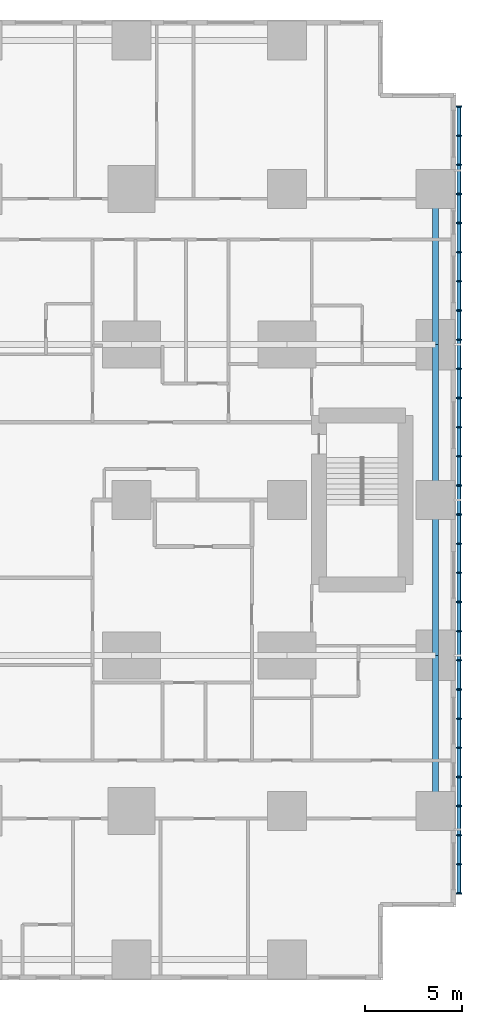
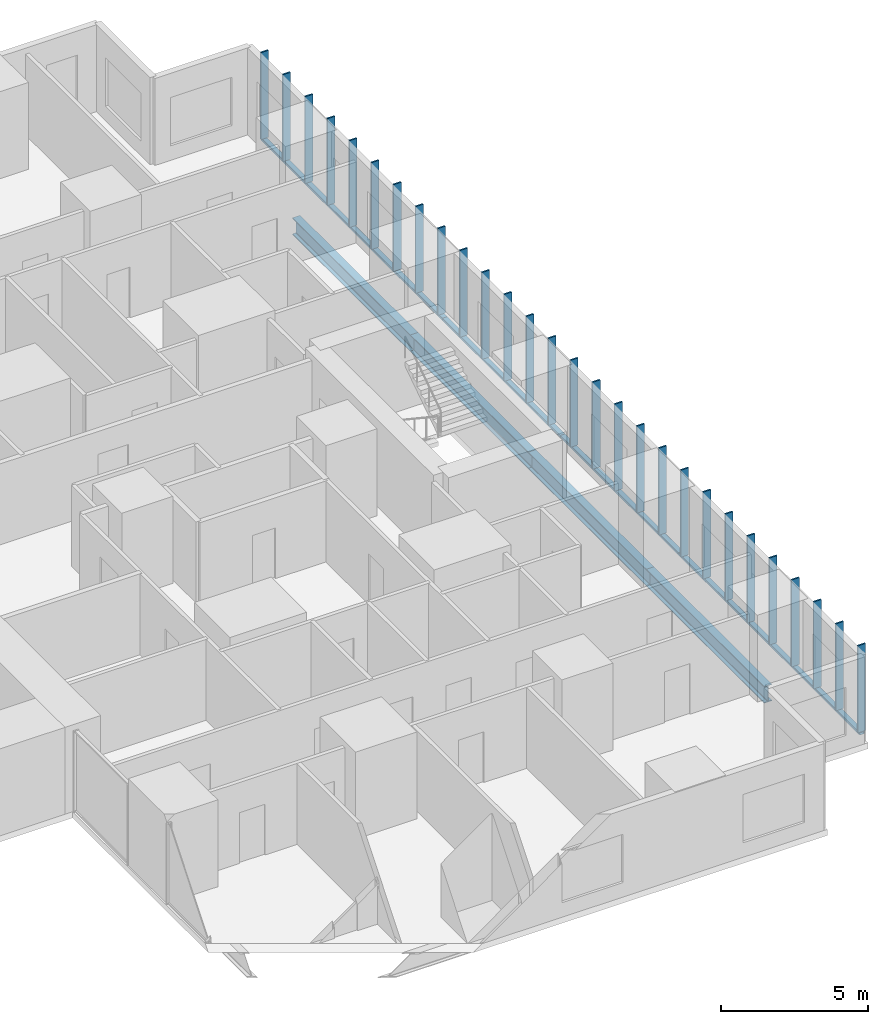
# One storey, part 6 of 20: 32 members, 4 beams.
"""IFC4 building model written with IfcOpenShell, lengths in metres."""

from ifc_helpers import new_model, si_unit, direction, frame, origin, origin_2d, place, context, subcontext, project, spatial, rectangle, hollow_rectangle, i_section, extrude, material, material_profile, profile_set, type_object, element, save


model = new_model("IFC4")

# Units and contexts
model_context = context("Model", 3, precision=1e-05, world=origin(), true_north=direction((0.0, 1.0)))
body_context = subcontext(model_context, "Body", "Model", "MODEL_VIEW")
ifc_project = project(units=[si_unit("LENGTHUNIT", "METRE"), si_unit("AREAUNIT", "SQUARE_METRE"), si_unit("VOLUMEUNIT", "CUBIC_METRE"), si_unit("PLANEANGLEUNIT", "RADIAN"), si_unit("MASSUNIT", "GRAM", prefix="KILO")], contexts=[model_context])

# Site, building, storey
site_placement = place(None, origin())
site = spatial("IfcSite", under=ifc_project, at=site_placement, CompositionType="ELEMENT")
building_placement = place(site_placement, origin())
building = spatial("IfcBuilding", under=site, at=building_placement, Name="Cleftline Residences", CompositionType="ELEMENT")
storey_placement = place(building_placement, frame((0.0, 0.0, 33.199951171875)))
storey = spatial("IfcBuildingStorey", under=building, at=storey_placement, Name="L07", CompositionType="ELEMENT", Elevation=33.199951171875)

# Members
ifc_material_1 = material(Name="Steel S355, hot-dip galvanised", Category="steel")
ifc_material_profile_1 = material_profile(ifc_material_1, hollow_rectangle(XDim=0.10009765625, YDim=0.199951171875, WallThickness=0.008056640625, InnerFilletRadius=0.008056640625, OuterFilletRadius=0.011962890625, at=origin_2d()))
ifc_profile_set_1 = profile_set([ifc_material_profile_1], Name="Steel S355, hot-dip galvanised")
member_type_1 = type_object("IfcMemberType", Name="BAGUETTE CARRIER RHS 200X100X8", PredefinedType="USERDEFINED", material=ifc_profile_set_1)
member_1_placement = place(storey_placement, frame((66.85009765625, 3.699951171875, -0.050048828125), z_axis=(0.0, 1.0, 0.0), x_axis=(0.0, 0.0, 1.0)))
element("IfcMember", 1, at=member_1_placement, inside=storey, type_object=member_type_1, Name="Baguette carrier", ObjectType="BAGUETTE CARRIER", PredefinedType="USERDEFINED", context=body_context, shape_type="SweptSolid", body=[
    extrude(hollow_rectangle(XDim=0.10009765625, YDim=0.199951171875, WallThickness=0.008056640625, InnerFilletRadius=0.008056640625, OuterFilletRadius=0.011962890625, at=origin_2d()), origin(), (0.0, 0.0, 1.0), 12.300048828125),
])
for number, where, z_axis, x_axis, name in (
    (2, (66.85009765625, 16.0, -0.050048828125), (0.0, 1.0, 0.0), (0.0, 0.0, 1.0), "Baguette carrier"),
    (3, (66.85009765625, 24.0, -0.050048828125), (0.0, 1.0, 0.0), (0.0, 0.0, 1.0), "Baguette carrier"),
):
    element("IfcMember", number, at=place(storey_placement, frame(where, z_axis=z_axis, x_axis=x_axis)), inside=storey, type_object=member_type_1, Name=name, ObjectType="BAGUETTE CARRIER", PredefinedType="USERDEFINED", context=body_context, shape_type="SweptSolid", body=[
        extrude(hollow_rectangle(XDim=0.10009765625, YDim=0.199951171875, WallThickness=0.008056640625, InnerFilletRadius=0.008056640625, OuterFilletRadius=0.011962890625, at=origin_2d()), origin(), (0.0, 0.0, 1.0), 8.0),
    ])
member_2_placement = place(storey_placement, frame((66.85009765625, 32.0, -0.050048828125), z_axis=(0.0, 1.0, 0.0), x_axis=(0.0, 0.0, 1.0)))
element("IfcMember", 4, at=member_2_placement, inside=storey, type_object=member_type_1, Name="Baguette carrier", ObjectType="BAGUETTE CARRIER", PredefinedType="USERDEFINED", context=body_context, shape_type="SweptSolid", body=[
    extrude(hollow_rectangle(XDim=0.10009765625, YDim=0.199951171875, WallThickness=0.008056640625, InnerFilletRadius=0.008056640625, OuterFilletRadius=0.011962890625, at=origin_2d()), origin(), (0.0, 0.0, 1.0), 12.300048828125),
])

# Beams
ifc_material_2 = material(Name="Steel S355", Category="steel")
ifc_material_profile_2 = material_profile(ifc_material_2, i_section(OverallWidth=0.300048828125, OverallDepth=0.699951171875, WebThickness=0.01708984375, FlangeThickness=0.031982421875, FilletRadius=0.027099609375, at=origin_2d()))
ifc_profile_set_2 = profile_set([ifc_material_profile_2], Name="Steel S355")
beam_type = type_object("IfcBeamType", Name="BEAM HEB 700", PredefinedType="BEAM", material=ifc_profile_set_2)
for number, where, z_axis, x_axis, name in (
    (5, (65.64990234375, 8.0, -0.599853515625), (0.0, 1.0, 0.0), (-1.0, 0.0, 0.0), "Edge beam"),
    (6, (65.64990234375, 16.0, -0.599853515625), (0.0, 1.0, 0.0), (-1.0, 0.0, 0.0), "Edge beam"),
    (7, (65.64990234375, 24.0, -0.599853515625), (0.0, 1.0, 0.0), (-1.0, 0.0, 0.0), "Edge beam"),
    (8, (65.64990234375, 32.0, -0.599853515625), (0.0, 1.0, 0.0), (-1.0, 0.0, 0.0), "Edge beam"),
):
    element("IfcBeam", number, at=place(storey_placement, frame(where, z_axis=z_axis, x_axis=x_axis)), inside=storey, type_object=beam_type, Name=name, PredefinedType="BEAM", context=body_context, shape_type="SweptSolid", body=[
        extrude(i_section(OverallWidth=0.300048828125, OverallDepth=0.699951171875, WebThickness=0.01708984375, FlangeThickness=0.031982421875, FilletRadius=0.027099609375, at=origin_2d()), origin(), (0.0, 0.0, 1.0), 8.0),
    ])

# Members
ifc_material_3 = material(Name="Extruded terracotta", Category="masonry")
ifc_material_profile_3 = material_profile(ifc_material_3, rectangle(XDim=0.06005859375, YDim=0.300048828125, at=origin_2d()))
ifc_profile_set_3 = profile_set([ifc_material_profile_3], Name="Extruded terracotta")
member_type_2 = type_object("IfcMemberType", Name="TERRACOTTA BAGUETTE 60X300", PredefinedType="USERDEFINED", material=ifc_profile_set_3)
for number, where, z_axis, x_axis, name in (
    (9, (66.85009765625, 3.75, 0.0), (0.0, 0.0, 1.0), (0.0, 1.0, 0.0), "Terracotta baguette"),
    (10, (66.85009765625, 5.25, 0.0), (0.0, 0.0, 1.0), (0.0, 1.0, 0.0), "Terracotta baguette"),
    (11, (66.85009765625, 6.75, 0.0), (0.0, 0.0, 1.0), (0.0, 1.0, 0.0), "Terracotta baguette"),
    (12, (66.85009765625, 8.25, 0.0), (0.0, 0.0, 1.0), (0.0, 1.0, 0.0), "Terracotta baguette"),
    (13, (66.85009765625, 9.75, 0.0), (0.0, 0.0, 1.0), (0.0, 1.0, 0.0), "Terracotta baguette"),
    (14, (66.85009765625, 11.25, 0.0), (0.0, 0.0, 1.0), (0.0, 1.0, 0.0), "Terracotta baguette"),
    (15, (66.85009765625, 12.75, 0.0), (0.0, 0.0, 1.0), (0.0, 1.0, 0.0), "Terracotta baguette"),
    (16, (66.85009765625, 14.25, 0.0), (0.0, 0.0, 1.0), (0.0, 1.0, 0.0), "Terracotta baguette"),
    (17, (66.85009765625, 15.75, 0.0), (0.0, 0.0, 1.0), (0.0, 1.0, 0.0), "Terracotta baguette"),
    (18, (66.85009765625, 17.25, 0.0), (0.0, 0.0, 1.0), (0.0, 1.0, 0.0), "Terracotta baguette"),
    (19, (66.85009765625, 18.75, 0.0), (0.0, 0.0, 1.0), (0.0, 1.0, 0.0), "Terracotta baguette"),
    (20, (66.85009765625, 20.25, 0.0), (0.0, 0.0, 1.0), (0.0, 1.0, 0.0), "Terracotta baguette"),
    (21, (66.85009765625, 21.75, 0.0), (0.0, 0.0, 1.0), (0.0, 1.0, 0.0), "Terracotta baguette"),
    (22, (66.85009765625, 23.25, 0.0), (0.0, 0.0, 1.0), (0.0, 1.0, 0.0), "Terracotta baguette"),
    (23, (66.85009765625, 24.75, 0.0), (0.0, 0.0, 1.0), (0.0, 1.0, 0.0), "Terracotta baguette"),
    (24, (66.85009765625, 26.25, 0.0), (0.0, 0.0, 1.0), (0.0, 1.0, 0.0), "Terracotta baguette"),
    (25, (66.85009765625, 27.75, 0.0), (0.0, 0.0, 1.0), (0.0, 1.0, 0.0), "Terracotta baguette"),
    (26, (66.85009765625, 29.25, 0.0), (0.0, 0.0, 1.0), (0.0, 1.0, 0.0), "Terracotta baguette"),
    (27, (66.85009765625, 30.75, 0.0), (0.0, 0.0, 1.0), (0.0, 1.0, 0.0), "Terracotta baguette"),
    (28, (66.85009765625, 32.25, 0.0), (0.0, 0.0, 1.0), (0.0, 1.0, 0.0), "Terracotta baguette"),
    (29, (66.85009765625, 33.75, 0.0), (0.0, 0.0, 1.0), (0.0, 1.0, 0.0), "Terracotta baguette"),
    (30, (66.85009765625, 35.25, 0.0), (0.0, 0.0, 1.0), (0.0, 1.0, 0.0), "Terracotta baguette"),
    (31, (66.85009765625, 36.75, 0.0), (0.0, 0.0, 1.0), (0.0, 1.0, 0.0), "Terracotta baguette"),
    (32, (66.85009765625, 38.25, 0.0), (0.0, 0.0, 1.0), (0.0, 1.0, 0.0), "Terracotta baguette"),
    (33, (66.85009765625, 39.75, 0.0), (0.0, 0.0, 1.0), (0.0, 1.0, 0.0), "Terracotta baguette"),
    (34, (66.85009765625, 41.25, 0.0), (0.0, 0.0, 1.0), (0.0, 1.0, 0.0), "Terracotta baguette"),
    (35, (66.85009765625, 42.75, 0.0), (0.0, 0.0, 1.0), (0.0, 1.0, 0.0), "Terracotta baguette"),
    (36, (66.85009765625, 44.25, 0.0), (0.0, 0.0, 1.0), (0.0, 1.0, 0.0), "Terracotta baguette"),
):
    element("IfcMember", number, at=place(storey_placement, frame(where, z_axis=z_axis, x_axis=x_axis)), inside=storey, type_object=member_type_2, Name=name, ObjectType="BAGUETTE", PredefinedType="USERDEFINED", context=body_context, shape_type="SweptSolid", body=[
        extrude(rectangle(XDim=0.06005859375, YDim=0.300048828125, at=origin_2d()), origin(), (0.0, 0.0, 1.0), 3.60009765625),
    ])

save(model, "model.ifc")
